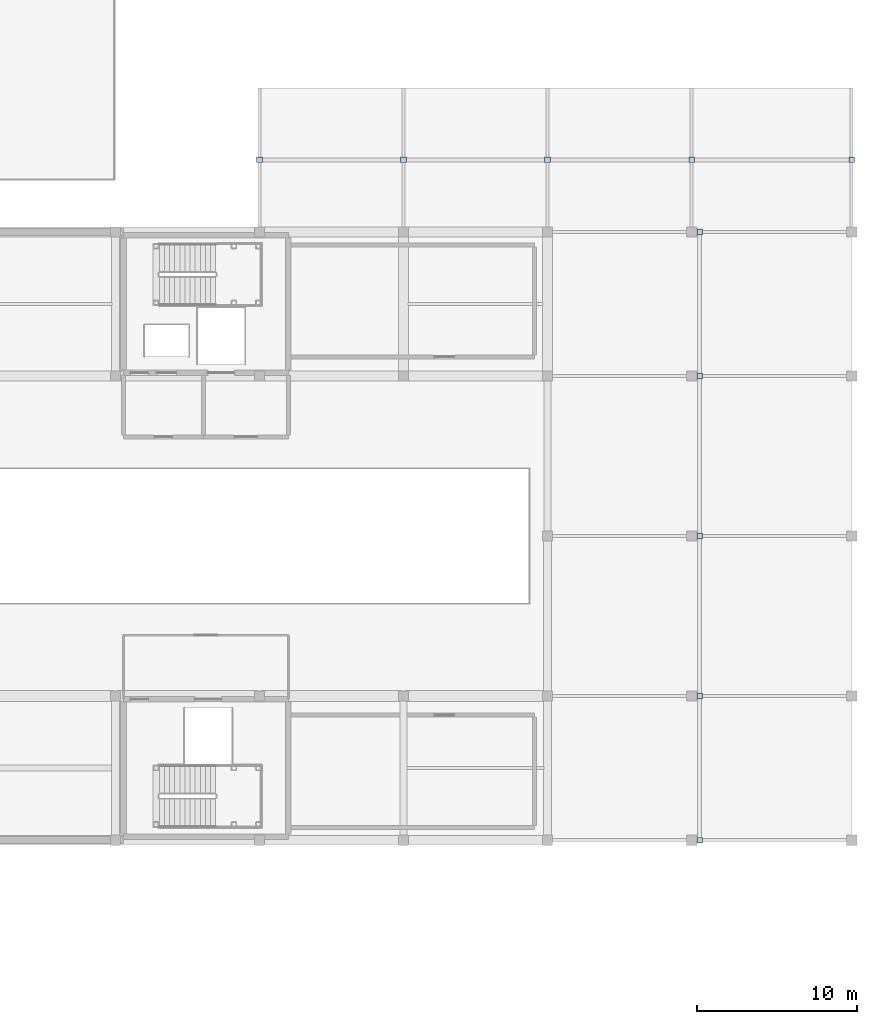
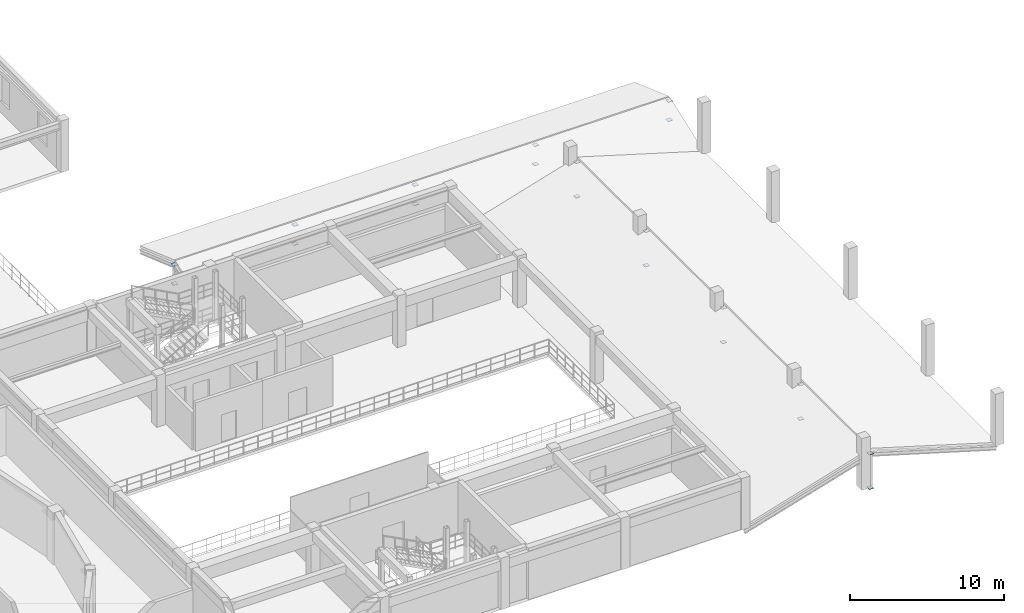
# One storey, part 68 of 80: 20 plates.
"""IFC4 building model written with IfcOpenShell, lengths in metres."""

from ifc_helpers import new_model, si_unit, direction, frame, origin, origin_2d, place, context, subcontext, project, spatial, rectangle, extrude, material, layer, layer_set, type_object, element, save


model = new_model("IFC4")

# Units and contexts
model_context = context("Model", 3, precision=1e-05, world=origin(), true_north=direction((0.0, 1.0)))
body_context = subcontext(model_context, "Body", "Model", "MODEL_VIEW")
ifc_project = project(units=[si_unit("LENGTHUNIT", "METRE"), si_unit("AREAUNIT", "SQUARE_METRE"), si_unit("VOLUMEUNIT", "CUBIC_METRE"), si_unit("PLANEANGLEUNIT", "RADIAN"), si_unit("MASSUNIT", "GRAM", prefix="KILO")], contexts=[model_context])

# Site, building, storey
site_placement = place(None, origin())
site = spatial("IfcSite", under=ifc_project, at=site_placement, CompositionType="ELEMENT")
building_placement = place(site_placement, origin())
building = spatial("IfcBuilding", under=site, at=building_placement, Name="Miravela Opera House", CompositionType="ELEMENT")
storey_placement = place(building_placement, frame((0.0, 0.0, 17.679931640625)))
storey = spatial("IfcBuildingStorey", under=building, at=storey_placement, Name="L04", CompositionType="ELEMENT", Elevation=17.679931640625)

# Plates
ifc_material = material(Name="Structural steel ASTM A572 Gr. 50", Category="steel")
ifc_layer = layer(ifc_material, 0.02001953125)
ifc_layer_set = layer_set([ifc_layer])
plate_type = type_object("IfcPlateType", Name="STR-PL-CAP-350X350X20", PredefinedType="SHEET", material=ifc_layer_set)
for number, where, z_axis, x_axis, name in (
    (1, (117.0, 79.5, -0.263916015625), (0.0, 0.0, 1.0), (1.0, 0.0, 0.0), "HSS Welded End Cap Plate 248"),
    (2, (117.0, 79.5, 1.254150390625), (0.0, 0.0, 1.0), (1.0, 0.0, 0.0), "HSS Welded End Cap Plate 249"),
    (3, (126.0, 79.5, -0.263916015625), (0.0, 0.0, 1.0), (1.0, 0.0, 0.0), "HSS Welded End Cap Plate 250"),
    (4, (126.0, 79.5, 1.254150390625), (0.0, 0.0, 1.0), (1.0, 0.0, 0.0), "HSS Welded End Cap Plate 251"),
    (5, (135.0, 79.5, -0.263916015625), (0.0, 0.0, 1.0), (1.0, 0.0, 0.0), "HSS Welded End Cap Plate 252"),
    (6, (135.0, 79.5, 1.254150390625), (0.0, 0.0, 1.0), (1.0, 0.0, 0.0), "HSS Welded End Cap Plate 253"),
    (7, (144.0, 79.5, -0.263916015625), (0.0, 0.0, 1.0), (1.0, 0.0, 0.0), "HSS Welded End Cap Plate 254"),
    (8, (144.0, 79.5, 1.254150390625), (0.0, 0.0, 1.0), (1.0, 0.0, 0.0), "HSS Welded End Cap Plate 255"),
    (9, (154.0, 79.5, -0.263916015625), (0.0, 0.0, 1.0), (1.0, 0.0, 0.0), "HSS Welded End Cap Plate 256"),
    (10, (154.0, 79.5, 1.254150390625), (0.0, 0.0, 1.0), (1.0, 0.0, 0.0), "HSS Welded End Cap Plate 257"),
    (11, (144.5, 37.0, -0.263916015625), (0.0, 0.0, 1.0), (1.0, 0.0, 0.0), "HSS Welded End Cap Plate 258"),
    (12, (144.5, 37.0, 2.464111328125), (0.0, 0.0, 1.0), (1.0, 0.0, 0.0), "HSS Welded End Cap Plate 259"),
    (13, (144.5, 46.0, -0.263916015625), (0.0, 0.0, 1.0), (1.0, 0.0, 0.0), "HSS Welded End Cap Plate 260"),
    (14, (144.5, 46.0, 2.464111328125), (0.0, 0.0, 1.0), (1.0, 0.0, 0.0), "HSS Welded End Cap Plate 261"),
    (15, (144.5, 56.0, -0.263916015625), (0.0, 0.0, 1.0), (1.0, 0.0, 0.0), "HSS Welded End Cap Plate 262"),
    (16, (144.5, 56.0, 2.464111328125), (0.0, 0.0, 1.0), (1.0, 0.0, 0.0), "HSS Welded End Cap Plate 263"),
    (17, (144.5, 66.0, -0.263916015625), (0.0, 0.0, 1.0), (1.0, 0.0, 0.0), "HSS Welded End Cap Plate 264"),
    (18, (144.5, 66.0, 2.464111328125), (0.0, 0.0, 1.0), (1.0, 0.0, 0.0), "HSS Welded End Cap Plate 265"),
    (19, (144.5, 75.0, -0.263916015625), (0.0, 0.0, 1.0), (1.0, 0.0, 0.0), "HSS Welded End Cap Plate 266"),
    (20, (144.5, 75.0, 2.464111328125), (0.0, 0.0, 1.0), (1.0, 0.0, 0.0), "HSS Welded End Cap Plate 267"),
):
    element("IfcPlate", number, at=place(storey_placement, frame(where, z_axis=z_axis, x_axis=x_axis)), inside=storey, type_object=plate_type, Name=name, PredefinedType="SHEET", context=body_context, shape_type="SweptSolid", body=[
        extrude(rectangle(XDim=0.35009765625, YDim=0.35009765625, at=origin_2d()), origin(), (0.0, 0.0, 1.0), 0.02001953125),
    ])

save(model, "model.ifc")
